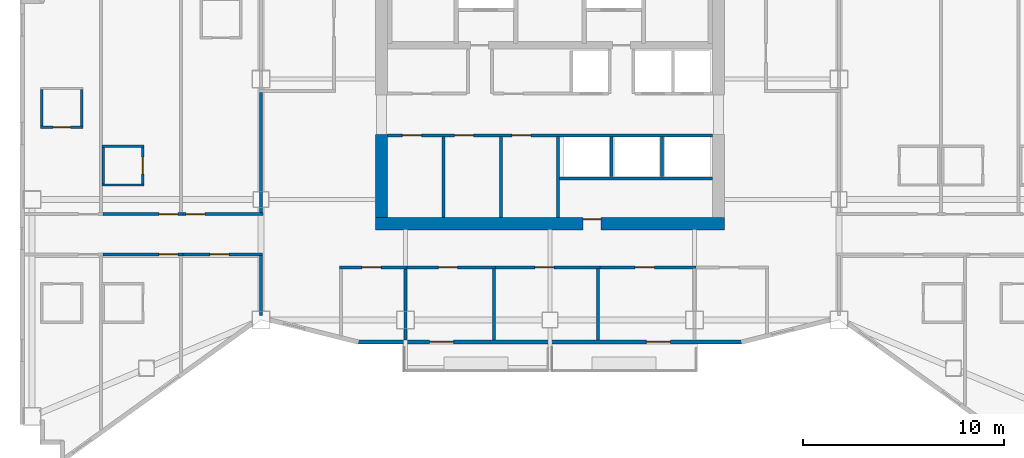
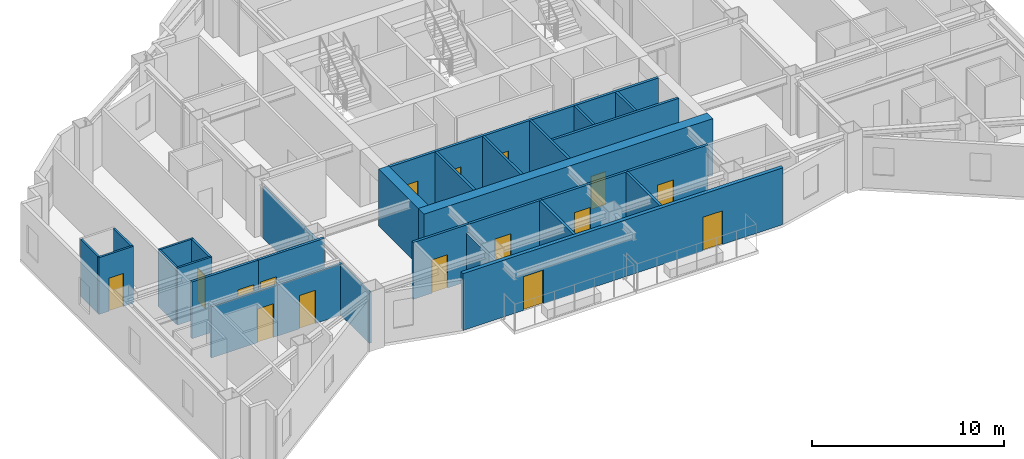
# One storey, part 5 of 11: 30 walls, 16 doors, 16 openings.
"""IFC4 building model written with IfcOpenShell, lengths in metres."""

import ifcopenshell
import ifcopenshell.guid

model = None  # the IFC model being written
_history = None  # IfcOwnerHistory: only IFC2X3 demands one
_inside = {}  # id of a spatial element -> (the spatial element, [elements in it])
_under = {}  # id of a project, library or spatial element -> (it, [spatial elements below it])
_declared = {}  # id of a project -> (the project, [libraries it declares])
_typed = {}  # id of a type object -> (the type object, [elements of that type])
_made_of = {}  # id of a material, layer set ... -> (it, [elements and type objects made of it])


def new_model(schema):
    """Start an empty IFC model of exactly this schema.

    Asked for "IFC4X3", IfcOpenShell would pick the latest addendum, in which some entities
    have other attributes; the version numbers below select the first issue.
    IFC2X3 requires an IfcOwnerHistory on every rooted entity: one is made here for all.
    """
    global model, _history
    if schema == "IFC4X3":
        model = ifcopenshell.file(schema_version=(4, 3, 0, 0))
    else:
        model = ifcopenshell.file(schema=schema)
    _inside.clear()
    _under.clear()
    _declared.clear()
    _typed.clear()
    _made_of.clear()
    _history = None
    if model.schema == "IFC2X3":
        org = make("IfcOrganization", Name="unknown")
        user = make(
            "IfcPersonAndOrganization",
            ThePerson=make("IfcPerson", FamilyName="unknown"),
            TheOrganization=org,
        )
        app = make(
            "IfcApplication",
            ApplicationDeveloper=org,
            Version="unknown",
            ApplicationFullName="unknown",
            ApplicationIdentifier="unknown",
        )
        _history = make(
            "IfcOwnerHistory",
            OwningUser=user,
            OwningApplication=app,
            ChangeAction="ADDED",
            CreationDate=0,
        )
    return model


def make(cls, **values):
    """One entity of the class cls with the attributes given. An attribute that is None is left unset."""
    return model.create_entity(
        cls, **{name: value for name, value in values.items() if value is not None}
    )


def rooted(cls, **values):
    """An entity with a GlobalId (a new one), such as an element, a storey or a relation."""
    return make(cls, GlobalId=ifcopenshell.guid.new(), OwnerHistory=_history, **values)


def si_unit(unit_type, name, prefix=None):
    """IfcSIUnit, for example si_unit("LENGTHUNIT", "METRE", prefix="MILLI")."""
    return make("IfcSIUnit", UnitType=unit_type, Prefix=prefix, Name=name)


def assignment(units):
    """IfcUnitAssignment: the units of a project."""
    return None if units is None else make("IfcUnitAssignment", Units=units)


def point(xyz):
    """IfcCartesianPoint."""
    return None if xyz is None else make("IfcCartesianPoint", Coordinates=xyz)


def direction(xyz):
    """IfcDirection."""
    return None if xyz is None else make("IfcDirection", DirectionRatios=xyz)


def frame(location, z_axis=None, x_axis=None):
    """IfcAxis2Placement3D, a coordinate frame: its origin and axes. An axis left out is left unset."""
    return make(
        "IfcAxis2Placement3D",
        Location=point(location),
        Axis=direction(z_axis),
        RefDirection=direction(x_axis),
    )


def frame_2d(location, x_axis=None):
    """IfcAxis2Placement2D, a coordinate frame in the plane: its origin and x axis."""
    return make(
        "IfcAxis2Placement2D", Location=point(location), RefDirection=direction(x_axis)
    )


def origin():
    """The frame at (0, 0, 0) with its axes left unset."""
    return frame((0.0, 0.0, 0.0))


def place(relative_to, where):
    """IfcLocalPlacement: puts the frame where relative to a parent placement (None: the world)."""
    return make(
        "IfcLocalPlacement", PlacementRelTo=relative_to, RelativePlacement=where
    )


def context(
    kind, dimensions, precision=None, world=None, true_north=None, identifier=None
):
    """IfcGeometricRepresentationContext, for example the 3D "Model" context."""
    return make(
        "IfcGeometricRepresentationContext",
        ContextIdentifier=identifier,
        ContextType=kind,
        CoordinateSpaceDimension=dimensions,
        Precision=precision,
        WorldCoordinateSystem=world,
        TrueNorth=true_north,
    )


def subcontext(parent, identifier, kind, view, scale=None):
    """IfcGeometricRepresentationSubContext, for example "Body" below "Model"."""
    return make(
        "IfcGeometricRepresentationSubContext",
        ContextIdentifier=identifier,
        ContextType=kind,
        ParentContext=parent,
        TargetScale=scale,
        TargetView=view,
    )


def project(units=None, contexts=None):
    """IfcProject with its units and contexts."""
    return rooted(
        "IfcProject",
        Name="project",
        RepresentationContexts=contexts,
        UnitsInContext=assignment(units),
    )


def spatial(cls, under=None, at=None, **own):
    """A site, building, storey or space (cls), placed at a placement, below another one or the project."""
    s = rooted(cls, ObjectPlacement=at, **own)
    if under is not None:
        _under.setdefault(under.id(), (under, []))[1].append(s)
    return s


def profile(cls, at=None, kind="AREA", **sizes):
    """A parametric profile (cls). Its sizes go by their IFC names, for example OverallWidth=200.0."""
    return make(cls, ProfileType=kind, Position=at, **sizes)


def rectangle(**sizes):
    """IfcRectangleProfileDef."""
    return profile("IfcRectangleProfileDef", **sizes)


def extrude(swept, where, along, depth):
    """IfcExtrudedAreaSolid: the profile swept, set in the frame where, extruded along a direction by depth."""
    return make(
        "IfcExtrudedAreaSolid",
        SweptArea=swept,
        Position=where,
        ExtrudedDirection=direction(along),
        Depth=depth,
    )


def shape(context_of_items, identifier, shape_type, items):
    """IfcShapeRepresentation: the items that make up one representation, for example the "Body"."""
    return make(
        "IfcShapeRepresentation",
        ContextOfItems=context_of_items,
        RepresentationIdentifier=identifier,
        RepresentationType=shape_type,
        Items=items,
    )


def material(Name=None, Category=None):
    """IfcMaterial."""
    return make("IfcMaterial", Name=Name, Category=Category)


def layer(
    of_material, thickness, ventilated=None, Name=None, Category=None, Priority=None
):
    """IfcMaterialLayer: one layer of a wall or slab, of a material (None: an air gap)."""
    return make(
        "IfcMaterialLayer",
        Material=of_material,
        LayerThickness=thickness,
        IsVentilated=ventilated,
        Name=Name,
        Category=Category,
        Priority=Priority,
    )


def layer_set(layers, Name=None):
    """IfcMaterialLayerSet."""
    return make("IfcMaterialLayerSet", MaterialLayers=layers, LayerSetName=Name)


def made_of(thing, what):
    """Note that an element or type object is made of a material, layer set ...; save() writes the relation."""
    if what is not None:
        _made_of.setdefault(what.id(), (what, []))[1].append(thing)
    return thing


def type_object(cls, material=None, **own):
    """A type object (cls), such as IfcWallType, which elements share."""
    return made_of(rooted(cls, **own), material)


def element(
    cls,
    number,
    at=None,
    inside=None,
    cuts=None,
    type_object=None,
    material=None,
    context=None,
    identifier="Body",
    shape_type=None,
    held_by="IfcProductDefinitionShape",
    body=None,
    shapes=None,
    **own,
):
    """One element of the class cls, such as IfcWall. Its Tag is "e" and its number.

    at: its placement. inside: the storey or other place that contains it. cuts: it is an
    opening in that element (IfcRelVoidsElement). A single representation is given by context,
    identifier, shape_type and body (its items); several are given by shapes. held_by: the class
    of the entity that holds the representations. save() writes the other relations.
    """
    e = rooted(cls, Tag="e%d" % number, ObjectPlacement=at, **own)
    if body is not None:
        shapes = [shape(context, identifier, shape_type, body)]
    if shapes is not None:
        e.Representation = make(held_by, Representations=shapes)
    if inside is not None:
        _inside.setdefault(inside.id(), (inside, []))[1].append(e)
    if cuts is not None:
        rooted(
            "IfcRelVoidsElement", RelatingBuildingElement=cuts, RelatedOpeningElement=e
        )
    if type_object is not None:
        _typed.setdefault(type_object.id(), (type_object, []))[1].append(e)
    return made_of(e, material)


def fill(opening, filler):
    """IfcRelFillsElement: the door or window that sits in an opening."""
    return rooted(
        "IfcRelFillsElement",
        RelatingOpeningElement=opening,
        RelatedBuildingElement=filler,
    )


def aggregate(whole, parts):
    """IfcRelAggregates: a whole, such as a stair, and the parts it consists of."""
    return rooted("IfcRelAggregates", RelatingObject=whole, RelatedObjects=parts)


def save(model, path):
    """Write the relations noted so far, then the file.

    IfcRelAggregates (storeys below a building ...), IfcRelContainedInSpatialStructure (elements
    in a storey), IfcRelDefinesByType, IfcRelAssociatesMaterial and IfcRelDeclares: one each for
    every whole, place, type object, material and project.
    """
    for whole, parts in _under.values():
        aggregate(whole, parts)
    for where, things in _inside.values():
        rooted(
            "IfcRelContainedInSpatialStructure",
            RelatedElements=things,
            RelatingStructure=where,
        )
    for kind, things in _typed.values():
        rooted("IfcRelDefinesByType", RelatedObjects=things, RelatingType=kind)
    for what, things in _made_of.values():
        rooted("IfcRelAssociatesMaterial", RelatedObjects=things, RelatingMaterial=what)
    for by, libraries in _declared.values():
        rooted("IfcRelDeclares", RelatingContext=by, RelatedDefinitions=libraries)
    model.write(path)


model = new_model("IFC4")

# Units and contexts
model_context = context("Model", 3, precision=1e-05, world=origin(), true_north=direction((0.0, 1.0)))
body_context = subcontext(model_context, "Body", "Model", "MODEL_VIEW")
ifc_project = project(units=[si_unit("LENGTHUNIT", "METRE"), si_unit("AREAUNIT", "SQUARE_METRE"), si_unit("VOLUMEUNIT", "CUBIC_METRE"), si_unit("PLANEANGLEUNIT", "RADIAN"), si_unit("MASSUNIT", "GRAM", prefix="KILO")], contexts=[model_context])

# Site, building, storey
site_placement = place(None, origin())
site = spatial("IfcSite", under=ifc_project, at=site_placement, CompositionType="ELEMENT")
building_placement = place(site_placement, origin())
building = spatial("IfcBuilding", under=site, at=building_placement, Name="Haolan Belvedere Tower", CompositionType="ELEMENT")
storey_placement = place(building_placement, frame((0.0, 0.0, 215.39990234375)))
storey = spatial("IfcBuildingStorey", under=building, at=storey_placement, Name="L54", CompositionType="ELEMENT", Elevation=215.39990234375)

# Wall, opening, door
ifc_material_1 = material(Name="Concrete C60/75", Category="concrete")
ifc_layer_1 = layer(ifc_material_1, 0.60009765625, Name="Concrete C60/75")
ifc_layer_set_1 = layer_set([ifc_layer_1], Name="Concrete C60/75")
wall_type_1 = type_object("IfcWallType", Name="WL-CORE-600", PredefinedType="SHEAR", material=ifc_layer_set_1)
wall_1_placement = place(storey_placement, frame((29.699951171875, 26.39990234375, 0.0), z_axis=(0.0, 0.0, 1.0), x_axis=(1.0, 0.0, 0.0)))
wall_1 = element("IfcWall", 1, at=wall_1_placement, inside=storey, type_object=wall_type_1, Name="L54 central core south shear wall", PredefinedType="SHEAR", context=body_context, shape_type="SweptSolid", body=[
    extrude(rectangle(XDim=17.400146484375, YDim=0.60009765625, at=frame_2d((8.7001953125, 0.0))), origin(), (0.0, 0.0, 1.0), 3.6201171875),
])
opening_1_placement = place(wall_1_placement, frame((11.25, 0.0, 0.0), z_axis=(0.0, 0.0, 1.0), x_axis=(-1.0, 0.0, 0.0)))
opening_1 = element("IfcOpeningElement", 2, at=opening_1_placement, cuts=wall_1, Name="Opening FD-05", PredefinedType="OPENING", context=body_context, shape_type="SweptSolid", body=[
    extrude(rectangle(XDim=0.89990234375, YDim=2.10009765625, at=frame_2d((0.449951171875, 1.050048828125))), frame((0.0, 0.31005859375, 0.0), z_axis=(0.0, -1.0, 0.0), x_axis=(1.0, 0.0, 0.0)), (0.0, 0.0, 1.0), 0.6201171875),
])
ifc_material_2 = material(Name="Galvanised fire-rated steel", Category="steel")
door_type_1 = type_object("IfcDoorType", Name="DR-FD60-900", OperationType="NOTDEFINED", PredefinedType="DOOR", material=ifc_material_2)
door_1_placement = place(opening_1_placement, origin())
door_1 = element("IfcDoor", 3, at=door_1_placement, inside=storey, type_object=door_type_1, Name="L54 door CD-L54-SCVE", OperationType="SINGLE_SWING_RIGHT", OverallHeight=2.10009765625, OverallWidth=0.89990234375, PredefinedType="DOOR", context=body_context, shape_type="SweptSolid", body=[
    extrude(rectangle(XDim=0.89990234375, YDim=2.10009765625, at=frame_2d((0.449951171875, 1.050048828125))), frame((0.0, -0.19482421875, 0.0), z_axis=(0.0, -1.0, 0.0), x_axis=(1.0, 0.0, 0.0)), (0.0, 0.0, 1.0), 0.050048828125),
])
fill(opening_1, door_1)

# Wall
wall_2_placement = place(storey_placement, frame((30.0, 26.699951171875, 0.0), z_axis=(0.0, 0.0, 1.0), x_axis=(0.0, 1.0, 0.0)))
element("IfcWall", 4, at=wall_2_placement, inside=storey, type_object=wall_type_1, Name="L54 central core shear wall WS", PredefinedType="SHEAR", context=body_context, shape_type="SweptSolid", body=[
    extrude(rectangle(XDim=4.150146484375, YDim=0.60009765625, at=frame_2d((2.0751953125, 0.0))), origin(), (0.0, 0.0, 1.0), 3.6201171875),
])

# Wall, openings, doors
ifc_material_3 = material(Name="Precast concrete C40/50", Category="concrete")
ifc_layer_2 = layer(ifc_material_3, 0.219970703125, Name="Precast concrete C40/50")
ifc_layer_set_2 = layer_set([ifc_layer_2], Name="Precast concrete C40/50")
wall_type_2 = type_object("IfcWallType", Name="WL-EXT-220", PredefinedType="SOLIDWALL", material=ifc_layer_set_2)
wall_3_placement = place(storey_placement, frame((28.758544921875, 20.510009765625, 0.0), z_axis=(0.0, 0.0, 1.0), x_axis=(1.0, 0.0, 0.0)))
wall_3 = element("IfcWall", 5, at=wall_3_placement, inside=storey, type_object=wall_type_2, Name="L54 pale-metal exterior spandrel wall 1.1", PredefinedType="SOLIDWALL", context=body_context, shape_type="SweptSolid", body=[
    extrude(rectangle(XDim=19.282958984375, YDim=0.219970703125, at=frame_2d((9.6416015625, 0.0))), origin(), (0.0, 0.0, 1.0), 3.6201171875),
])
opening_2_placement = place(wall_3_placement, frame((4.841552734375, 0.0, 0.0), z_axis=(0.0, 0.0, 1.0), x_axis=(-1.0, 0.0, 0.0)))
opening_2 = element("IfcOpeningElement", 6, at=opening_2_placement, cuts=wall_3, Name="Opening BD-01", PredefinedType="OPENING", context=body_context, shape_type="SweptSolid", body=[
    extrude(rectangle(XDim=1.199951171875, YDim=2.14990234375, at=frame_2d((0.60009765625, 1.074951171875))), frame((0.0, 0.119873046875, 0.0), z_axis=(0.0, -1.0, 0.0), x_axis=(1.0, 0.0, 0.0)), (0.0, 0.0, 1.0), 0.239990234375),
])
opening_3_placement = place(wall_3_placement, frame((15.641357421875, 0.0, 0.0), z_axis=(0.0, 0.0, 1.0), x_axis=(-1.0, 0.0, 0.0)))
opening_3 = element("IfcOpeningElement", 7, at=opening_3_placement, cuts=wall_3, Name="Opening BD-01", PredefinedType="OPENING", context=body_context, shape_type="SweptSolid", body=[
    extrude(rectangle(XDim=1.199951171875, YDim=2.14990234375, at=frame_2d((0.60009765625, 1.074951171875))), frame((0.0, 0.119873046875, 0.0), z_axis=(0.0, -1.0, 0.0), x_axis=(1.0, 0.0, 0.0)), (0.0, 0.0, 1.0), 0.239990234375),
])
ifc_material_4 = material(Name="Thermally broken pale-metal aluminium and Low-E glass", Category="aluminium")
door_type_2 = type_object("IfcDoorType", Name="DR-BAL-1200", OperationType="NOTDEFINED", PredefinedType="DOOR", material=ifc_material_4)
door_2_placement = place(opening_2_placement, origin())
door_2 = element("IfcDoor", 8, at=door_2_placement, inside=storey, type_object=door_type_2, Name="L54 tree-balcony access door 1", OperationType="SINGLE_SWING_RIGHT", OverallHeight=2.14990234375, OverallWidth=1.199951171875, PredefinedType="DOOR", context=body_context, shape_type="SweptSolid", body=[
    extrude(rectangle(XDim=1.199951171875, YDim=2.14990234375, at=frame_2d((0.60009765625, 1.074951171875))), frame((0.0, 0.02490234375, 0.0), z_axis=(0.0, -1.0, 0.0), x_axis=(1.0, 0.0, 0.0)), (0.0, 0.0, 1.0), 0.050048828125),
])
fill(opening_2, door_2)
door_3_placement = place(opening_3_placement, origin())
door_3 = element("IfcDoor", 9, at=door_3_placement, inside=storey, type_object=door_type_2, Name="L54 tree-balcony access door 2", OperationType="SINGLE_SWING_LEFT", OverallHeight=2.14990234375, OverallWidth=1.199951171875, PredefinedType="DOOR", context=body_context, shape_type="SweptSolid", body=[
    extrude(rectangle(XDim=1.199951171875, YDim=2.14990234375, at=frame_2d((0.60009765625, 1.074951171875))), frame((0.0, 0.02490234375, 0.0), z_axis=(0.0, -1.0, 0.0), x_axis=(1.0, 0.0, 0.0)), (0.0, 0.0, 1.0), 0.050048828125),
])
fill(opening_3, door_3)

# Walls
ifc_material_5 = material(Name="Double gypsum acoustic stud partition", Category="masonry")
ifc_layer_3 = layer(ifc_material_5, 0.14990234375, Name="Double gypsum acoustic stud partition")
ifc_layer_set_3 = layer_set([ifc_layer_3], Name="Double gypsum acoustic stud partition")
wall_type_3 = type_object("IfcWallType", Name="WL-PART-150", PredefinedType="PARTITIONING", material=ifc_layer_set_3)
for number, where, z_axis, x_axis, name in (
    (10, (33.10009765625, 26.7099609375, 0.0), (0.0, 0.0, 1.0), (0.0, 1.0, 0.0), "L54 interior partition IW-L54-DIV-REUSE-PM1"),
    (11, (35.949951171875, 26.7099609375, 0.0), (0.0, 0.0, 1.0), (0.0, 1.0, 0.0), "L54 interior partition IW-L54-DIV-REUSE-PM2"),
):
    element("IfcWall", number, at=place(storey_placement, frame(where, z_axis=z_axis, x_axis=x_axis)), inside=storey, type_object=wall_type_3, Name=name, PredefinedType="PARTITIONING", context=body_context, shape_type="SweptSolid", body=[
        extrude(rectangle(XDim=4.025146484375, YDim=0.14990234375, at=frame_2d((2.0126953125, 0.0))), origin(), (0.0, 0.0, 1.0), 3.6201171875),
    ])
wall_4_placement = place(storey_placement, frame((38.860107421875, 28.659912109375, 0.0), z_axis=(0.0, 0.0, 1.0), x_axis=(1.0, 0.0, 0.0)))
element("IfcWall", 12, at=wall_4_placement, inside=storey, type_object=wall_type_3, Name="L54 interior partition IW-L54-SSTRIP-E", PredefinedType="PARTITIONING", context=body_context, shape_type="SweptSolid", body=[
    extrude(rectangle(XDim=7.639892578125, YDim=0.14990234375, at=frame_2d((3.81982421875, 0.0))), origin(), (0.0, 0.0, 1.0), 3.6201171875),
])

# Wall, opening, door
wall_5_placement = place(storey_placement, frame((27.919921875, 24.219970703125, 0.0), z_axis=(0.0, 0.0, 1.0), x_axis=(1.0, 0.0, 0.0)))
wall_5 = element("IfcWall", 13, at=wall_5_placement, inside=storey, type_object=wall_type_3, Name="L54 interior partition IW-L54-KS2-N", PredefinedType="PARTITIONING", context=body_context, shape_type="SweptSolid", body=[
    extrude(rectangle(XDim=3.360107421875, YDim=0.14990234375, at=frame_2d((1.68017578125, 0.0))), origin(), (0.0, 0.0, 1.0), 3.6201171875),
])
opening_4_placement = place(wall_5_placement, frame((2.074951171875, 0.0, 0.0), z_axis=(0.0, 0.0, 1.0), x_axis=(-1.0, 0.0, 0.0)))
opening_4 = element("IfcOpeningElement", 14, at=opening_4_placement, cuts=wall_5, Name="Opening ID-03", PredefinedType="OPENING", context=body_context, shape_type="SweptSolid", body=[
    extrude(rectangle(XDim=0.949951171875, YDim=2.1201171875, at=frame_2d((0.47509765625, 1.06005859375))), frame((0.0, 0.0849609375, 0.0), z_axis=(0.0, -1.0, 0.0), x_axis=(1.0, 0.0, 0.0)), (0.0, 0.0, 1.0), 0.169921875),
])
ifc_material_6 = material(Name="Painted solid-core timber", Category="wood")
door_type_3 = type_object("IfcDoorType", Name="DR-INT-950", OperationType="NOTDEFINED", PredefinedType="DOOR", material=ifc_material_6)
door_4_placement = place(opening_4_placement, origin())
door_4 = element("IfcDoor", 15, at=door_4_placement, inside=storey, type_object=door_type_3, Name="L54 door ID-L54-KS2", OperationType="SINGLE_SWING_LEFT", OverallHeight=2.1201171875, OverallWidth=0.949951171875, PredefinedType="DOOR", context=body_context, shape_type="SweptSolid", body=[
    extrude(rectangle(XDim=0.949951171875, YDim=2.1201171875, at=frame_2d((0.47509765625, 1.06005859375))), frame((0.0, 0.02490234375, 0.0), z_axis=(0.0, -1.0, 0.0), x_axis=(1.0, 0.0, 0.0)), (0.0, 0.0, 1.0), 0.050048828125),
])
fill(opening_4, door_4)

# Wall
wall_6_placement = place(storey_placement, frame((31.199951171875, 20.612060546875, 0.0), z_axis=(0.0, 0.0, 1.0), x_axis=(0.0, 1.0, 0.0)))
element("IfcWall", 16, at=wall_6_placement, inside=storey, type_object=wall_type_3, Name="L54 interior partition IW-L54-KS2-E", PredefinedType="PARTITIONING", context=body_context, shape_type="SweptSolid", body=[
    extrude(rectangle(XDim=3.5478515625, YDim=0.14990234375, at=frame_2d((1.77392578125, 0.0))), origin(), (0.0, 0.0, 1.0), 3.10498046875),
])

# Wall, opening, door
wall_7_placement = place(storey_placement, frame((31.281982421875, 24.219970703125, 0.0), z_axis=(0.0, 0.0, 1.0), x_axis=(1.0, 0.0, 0.0)))
wall_7 = element("IfcWall", 17, at=wall_7_placement, inside=storey, type_object=wall_type_3, Name="L54 interior partition IW-L54-KS3-N", PredefinedType="PARTITIONING", context=body_context, shape_type="SweptSolid", body=[
    extrude(rectangle(XDim=4.39794921875, YDim=0.14990234375, at=frame_2d((2.198974609375, 0.0))), origin(), (0.0, 0.0, 1.0), 3.6201171875),
])
opening_5_placement = place(wall_7_placement, frame((2.512939453125, 0.0, 0.0), z_axis=(0.0, 0.0, 1.0), x_axis=(-1.0, 0.0, 0.0)))
opening_5 = element("IfcOpeningElement", 18, at=opening_5_placement, cuts=wall_7, Name="Opening ID-03", PredefinedType="OPENING", context=body_context, shape_type="SweptSolid", body=[
    extrude(rectangle(XDim=0.949951171875, YDim=2.1201171875, at=frame_2d((0.47509765625, 1.06005859375))), frame((0.0, 0.0849609375, 0.0), z_axis=(0.0, -1.0, 0.0), x_axis=(1.0, 0.0, 0.0)), (0.0, 0.0, 1.0), 0.169921875),
])
door_5_placement = place(opening_5_placement, origin())
door_5 = element("IfcDoor", 19, at=door_5_placement, inside=storey, type_object=door_type_3, Name="L54 door ID-L54-KS3", OperationType="SINGLE_SWING_RIGHT", OverallHeight=2.1201171875, OverallWidth=0.949951171875, PredefinedType="DOOR", context=body_context, shape_type="SweptSolid", body=[
    extrude(rectangle(XDim=0.949951171875, YDim=2.1201171875, at=frame_2d((0.47509765625, 1.06005859375))), frame((0.0, 0.02490234375, 0.0), z_axis=(0.0, -1.0, 0.0), x_axis=(1.0, 0.0, 0.0)), (0.0, 0.0, 1.0), 0.050048828125),
])
fill(opening_5, door_5)

# Wall
wall_8_placement = place(storey_placement, frame((35.60009765625, 20.612060546875, 0.0), z_axis=(0.0, 0.0, 1.0), x_axis=(0.0, 1.0, 0.0)))
element("IfcWall", 20, at=wall_8_placement, inside=storey, type_object=wall_type_3, Name="L54 interior partition IW-L54-KS3-E", PredefinedType="PARTITIONING", context=body_context, shape_type="SweptSolid", body=[
    extrude(rectangle(XDim=3.5478515625, YDim=0.14990234375, at=frame_2d((1.77392578125, 0.0))), origin(), (0.0, 0.0, 1.0), 3.6201171875),
])

# Wall, opening, door
wall_9_placement = place(storey_placement, frame((35.681884765625, 24.219970703125, 0.0), z_axis=(0.0, 0.0, 1.0), x_axis=(1.0, 0.0, 0.0)))
wall_9 = element("IfcWall", 21, at=wall_9_placement, inside=storey, type_object=wall_type_3, Name="L54 interior partition IW-L54-KS4-N", PredefinedType="PARTITIONING", context=body_context, shape_type="SweptSolid", body=[
    extrude(rectangle(XDim=5.197998046875, YDim=0.14990234375, at=frame_2d((2.59912109375, 0.0))), origin(), (0.0, 0.0, 1.0), 3.6201171875),
])
opening_6_placement = place(wall_9_placement, frame((2.912841796875, 0.0, 0.0), z_axis=(0.0, 0.0, 1.0), x_axis=(-1.0, 0.0, 0.0)))
opening_6 = element("IfcOpeningElement", 22, at=opening_6_placement, cuts=wall_9, Name="Opening ID-03", PredefinedType="OPENING", context=body_context, shape_type="SweptSolid", body=[
    extrude(rectangle(XDim=0.949951171875, YDim=2.1201171875, at=frame_2d((0.47509765625, 1.06005859375))), frame((0.0, 0.0849609375, 0.0), z_axis=(0.0, -1.0, 0.0), x_axis=(1.0, 0.0, 0.0)), (0.0, 0.0, 1.0), 0.169921875),
])
door_6_placement = place(opening_6_placement, origin())
door_6 = element("IfcDoor", 23, at=door_6_placement, inside=storey, type_object=door_type_3, Name="L54 door ID-L54-KS4", OperationType="SINGLE_SWING_LEFT", OverallHeight=2.1201171875, OverallWidth=0.949951171875, PredefinedType="DOOR", context=body_context, shape_type="SweptSolid", body=[
    extrude(rectangle(XDim=0.949951171875, YDim=2.1201171875, at=frame_2d((0.47509765625, 1.06005859375))), frame((0.0, 0.02490234375, 0.0), z_axis=(0.0, -1.0, 0.0), x_axis=(1.0, 0.0, 0.0)), (0.0, 0.0, 1.0), 0.050048828125),
])
fill(opening_6, door_6)

# Wall
wall_10_placement = place(storey_placement, frame((40.800048828125, 20.612060546875, 0.0), z_axis=(0.0, 0.0, 1.0), x_axis=(0.0, 1.0, 0.0)))
element("IfcWall", 24, at=wall_10_placement, inside=storey, type_object=wall_type_3, Name="L54 interior partition IW-L54-KS4-E", PredefinedType="PARTITIONING", context=body_context, shape_type="SweptSolid", body=[
    extrude(rectangle(XDim=3.5478515625, YDim=0.14990234375, at=frame_2d((1.77392578125, 0.0))), origin(), (0.0, 0.0, 1.0), 3.6201171875),
])

# Wall, opening, door
wall_11_placement = place(storey_placement, frame((40.882080078125, 24.219970703125, 0.0), z_axis=(0.0, 0.0, 1.0), x_axis=(1.0, 0.0, 0.0)))
wall_11 = element("IfcWall", 25, at=wall_11_placement, inside=storey, type_object=wall_type_3, Name="L54 interior partition IW-L54-KS5-N", PredefinedType="PARTITIONING", context=body_context, shape_type="SweptSolid", body=[
    extrude(rectangle(XDim=4.7978515625, YDim=0.14990234375, at=frame_2d((2.39892578125, 0.0))), origin(), (0.0, 0.0, 1.0), 3.6201171875),
])
opening_7_placement = place(wall_11_placement, frame((2.712890625, 0.0, 0.0), z_axis=(0.0, 0.0, 1.0), x_axis=(-1.0, 0.0, 0.0)))
opening_7 = element("IfcOpeningElement", 26, at=opening_7_placement, cuts=wall_11, Name="Opening ID-03", PredefinedType="OPENING", context=body_context, shape_type="SweptSolid", body=[
    extrude(rectangle(XDim=0.949951171875, YDim=2.1201171875, at=frame_2d((0.47509765625, 1.06005859375))), frame((0.0, 0.0849609375, 0.0), z_axis=(0.0, -1.0, 0.0), x_axis=(1.0, 0.0, 0.0)), (0.0, 0.0, 1.0), 0.169921875),
])
door_7_placement = place(opening_7_placement, origin())
door_7 = element("IfcDoor", 27, at=door_7_placement, inside=storey, type_object=door_type_3, Name="L54 door ID-L54-KS5", OperationType="SINGLE_SWING_RIGHT", OverallHeight=2.1201171875, OverallWidth=0.949951171875, PredefinedType="DOOR", context=body_context, shape_type="SweptSolid", body=[
    extrude(rectangle(XDim=0.949951171875, YDim=2.1201171875, at=frame_2d((0.47509765625, 1.06005859375))), frame((0.0, 0.02490234375, 0.0), z_axis=(0.0, -1.0, 0.0), x_axis=(1.0, 0.0, 0.0)), (0.0, 0.0, 1.0), 0.050048828125),
])
fill(opening_7, door_7)

wall_12_placement = place(storey_placement, frame((16.132080078125, 26.8798828125, 0.0), z_axis=(0.0, 0.0, 1.0), x_axis=(1.0, 0.0, 0.0)))
wall_12 = element("IfcWall", 28, at=wall_12_placement, inside=storey, type_object=wall_type_3, Name="L54 interior partition IW-L54-T2N2-S", PredefinedType="PARTITIONING", context=body_context, shape_type="SweptSolid", body=[
    extrude(rectangle(XDim=3.988037109375, YDim=0.14990234375, at=frame_2d((1.994140625, 0.0))), origin(), (0.0, 0.0, 1.0), 3.6201171875),
])
opening_8_placement = place(wall_12_placement, frame((2.781005859375, 0.0, 0.0)))
opening_8 = element("IfcOpeningElement", 29, at=opening_8_placement, cuts=wall_12, Name="Opening ID-02", PredefinedType="OPENING", context=body_context, shape_type="SweptSolid", body=[
    extrude(rectangle(XDim=0.949951171875, YDim=2.14990234375, at=frame_2d((0.47509765625, 1.074951171875))), frame((0.0, 0.0849609375, 0.0), z_axis=(0.0, -1.0, 0.0), x_axis=(1.0, 0.0, 0.0)), (0.0, 0.0, 1.0), 0.169921875),
])
ifc_material_7 = material(Name="Acoustic oak veneer fire-rated timber", Category="wood")
door_type_4 = type_object("IfcDoorType", Name="DR-GUEST-950", OperationType="NOTDEFINED", PredefinedType="DOOR", material=ifc_material_7)
door_8_placement = place(opening_8_placement, origin())
door_8 = element("IfcDoor", 30, at=door_8_placement, inside=storey, type_object=door_type_4, Name="L54 door ID-L54-T2N2-ENT", OperationType="SINGLE_SWING_RIGHT", OverallHeight=2.14990234375, OverallWidth=0.949951171875, PredefinedType="DOOR", context=body_context, shape_type="SweptSolid", body=[
    extrude(rectangle(XDim=0.949951171875, YDim=2.14990234375, at=frame_2d((0.47509765625, 1.074951171875))), frame((0.0, 0.02490234375, 0.0), z_axis=(0.0, -1.0, 0.0), x_axis=(1.0, 0.0, 0.0)), (0.0, 0.0, 1.0), 0.050048828125),
])
fill(opening_8, door_8)

wall_13_placement = place(storey_placement, frame((20.1220703125, 26.8798828125, 0.0), z_axis=(0.0, 0.0, 1.0), x_axis=(1.0, 0.0, 0.0)))
wall_13 = element("IfcWall", 31, at=wall_13_placement, inside=storey, type_object=wall_type_3, Name="L54 interior partition IW-L54-T2N3-S", PredefinedType="PARTITIONING", context=body_context, shape_type="SweptSolid", body=[
    extrude(rectangle(XDim=3.97802734375, YDim=0.14990234375, at=frame_2d((1.989013671875, 0.0))), origin(), (0.0, 0.0, 1.0), 3.6201171875),
])
opening_9_placement = place(wall_13_placement, frame((0.139892578125, 0.0, 0.0)))
opening_9 = element("IfcOpeningElement", 32, at=opening_9_placement, cuts=wall_13, Name="Opening ID-01", PredefinedType="OPENING", context=body_context, shape_type="SweptSolid", body=[
    extrude(rectangle(XDim=0.949951171875, YDim=2.179931640625, at=frame_2d((0.47509765625, 1.08984375))), frame((0.0, 0.0849609375, 0.0), z_axis=(0.0, -1.0, 0.0), x_axis=(1.0, 0.0, 0.0)), (0.0, 0.0, 1.0), 0.169921875),
])
ifc_material_8 = material(Name="Acoustic walnut veneer fire-rated timber", Category="wood")
door_type_5 = type_object("IfcDoorType", Name="DR-SUITE-950", OperationType="NOTDEFINED", PredefinedType="DOOR", material=ifc_material_8)
door_9_placement = place(opening_9_placement, origin())
door_9 = element("IfcDoor", 33, at=door_9_placement, inside=storey, type_object=door_type_5, Name="L54 door ID-L54-T2N3-ENT", OperationType="SINGLE_SWING_LEFT", OverallHeight=2.179931640625, OverallWidth=0.949951171875, PredefinedType="DOOR", context=body_context, shape_type="SweptSolid", body=[
    extrude(rectangle(XDim=0.949951171875, YDim=2.179931640625, at=frame_2d((0.47509765625, 1.08984375))), frame((0.0, 0.02490234375, 0.0), z_axis=(0.0, -1.0, 0.0), x_axis=(1.0, 0.0, 0.0)), (0.0, 0.0, 1.0), 0.050048828125),
])
fill(opening_9, door_9)

# Wall
wall_14_placement = place(storey_placement, frame((24.0, 26.93994140625, 0.0), z_axis=(0.0, 0.0, 1.0), x_axis=(0.0, 1.0, 0.0)))
element("IfcWall", 34, at=wall_14_placement, inside=storey, type_object=wall_type_3, Name="L54 interior partition IW-L54-T2N3-E", PredefinedType="PARTITIONING", context=body_context, shape_type="SweptSolid", body=[
    extrude(rectangle(XDim=6.0, YDim=0.14990234375, at=frame_2d((3.0, 0.0))), origin(), (0.0, 0.0, 1.0), 3.215087890625),
])

# Wall, opening, door
wall_15_placement = place(storey_placement, frame((16.132080078125, 24.8701171875, 0.0), z_axis=(0.0, 0.0, 1.0), x_axis=(1.0, 0.0, 0.0)))
wall_15 = element("IfcWall", 35, at=wall_15_placement, inside=storey, type_object=wall_type_3, Name="L54 interior partition IW-L54-T2S2-N", PredefinedType="PARTITIONING", context=body_context, shape_type="SweptSolid", body=[
    extrude(rectangle(XDim=3.988037109375, YDim=0.14990234375, at=frame_2d((1.994140625, 0.0))), origin(), (0.0, 0.0, 1.0), 3.255126953125),
])
opening_10_placement = place(wall_15_placement, frame((3.73095703125, 0.0, 0.0), z_axis=(0.0, 0.0, 1.0), x_axis=(-1.0, 0.0, 0.0)))
opening_10 = element("IfcOpeningElement", 36, at=opening_10_placement, cuts=wall_15, Name="Opening ID-02", PredefinedType="OPENING", context=body_context, shape_type="SweptSolid", body=[
    extrude(rectangle(XDim=0.949951171875, YDim=2.14990234375, at=frame_2d((0.47509765625, 1.074951171875))), frame((0.0, 0.0849609375, 0.0), z_axis=(0.0, -1.0, 0.0), x_axis=(1.0, 0.0, 0.0)), (0.0, 0.0, 1.0), 0.169921875),
])
door_10_placement = place(opening_10_placement, origin())
door_10 = element("IfcDoor", 37, at=door_10_placement, inside=storey, type_object=door_type_4, Name="L54 door ID-L54-T2S2-ENT", OperationType="SINGLE_SWING_LEFT", OverallHeight=2.14990234375, OverallWidth=0.949951171875, PredefinedType="DOOR", context=body_context, shape_type="SweptSolid", body=[
    extrude(rectangle(XDim=0.949951171875, YDim=2.14990234375, at=frame_2d((0.47509765625, 1.074951171875))), frame((0.0, 0.02490234375, 0.0), z_axis=(0.0, -1.0, 0.0), x_axis=(1.0, 0.0, 0.0)), (0.0, 0.0, 1.0), 0.050048828125),
])
fill(opening_10, door_10)

wall_16_placement = place(storey_placement, frame((20.1220703125, 24.8701171875, 0.0), z_axis=(0.0, 0.0, 1.0), x_axis=(1.0, 0.0, 0.0)))
wall_16 = element("IfcWall", 38, at=wall_16_placement, inside=storey, type_object=wall_type_3, Name="L54 interior partition IW-L54-T2S3-N", PredefinedType="PARTITIONING", context=body_context, shape_type="SweptSolid", body=[
    extrude(rectangle(XDim=3.9580078125, YDim=0.14990234375, at=frame_2d((1.97900390625, 0.0))), origin(), (0.0, 0.0, 1.0), 3.255126953125),
])
opening_11_placement = place(wall_16_placement, frame((2.282958984375, 0.0, 0.0), z_axis=(0.0, 0.0, 1.0), x_axis=(-1.0, 0.0, 0.0)))
opening_11 = element("IfcOpeningElement", 39, at=opening_11_placement, cuts=wall_16, Name="Opening ID-03", PredefinedType="OPENING", context=body_context, shape_type="SweptSolid", body=[
    extrude(rectangle(XDim=0.949951171875, YDim=2.1201171875, at=frame_2d((0.47509765625, 1.06005859375))), frame((0.0, 0.0849609375, 0.0), z_axis=(0.0, -1.0, 0.0), x_axis=(1.0, 0.0, 0.0)), (0.0, 0.0, 1.0), 0.169921875),
])
door_11_placement = place(opening_11_placement, origin())
door_11 = element("IfcDoor", 40, at=door_11_placement, inside=storey, type_object=door_type_3, Name="L54 door ID-L54-T2S3", OperationType="SINGLE_SWING_RIGHT", OverallHeight=2.1201171875, OverallWidth=0.949951171875, PredefinedType="DOOR", context=body_context, shape_type="SweptSolid", body=[
    extrude(rectangle(XDim=0.949951171875, YDim=2.1201171875, at=frame_2d((0.47509765625, 1.06005859375))), frame((0.0, 0.02490234375, 0.0), z_axis=(0.0, -1.0, 0.0), x_axis=(1.0, 0.0, 0.0)), (0.0, 0.0, 1.0), 0.050048828125),
])
fill(opening_11, door_11)

# Wall
wall_17_placement = place(storey_placement, frame((24.0, 21.818603515625, 0.0), z_axis=(0.0, 0.0, 1.0), x_axis=(0.0, 1.0, 0.0)))
element("IfcWall", 41, at=wall_17_placement, inside=storey, type_object=wall_type_3, Name="L54 interior partition IW-L54-T2S3-E", PredefinedType="PARTITIONING", context=body_context, shape_type="SweptSolid", body=[
    extrude(rectangle(XDim=2.991455078125, YDim=0.14990234375, at=frame_2d((1.49560546875, 0.0))), origin(), (0.0, 0.0, 1.0), 3.215087890625),
])

# Wall, openings, doors
ifc_material_9 = material(Name="Gypsum fire shaftwall assembly", Category="masonry")
ifc_layer_4 = layer(ifc_material_9, 0.1650390625, Name="Gypsum fire shaftwall assembly")
ifc_layer_set_4 = layer_set([ifc_layer_4], Name="Gypsum fire shaftwall assembly")
wall_type_4 = type_object("IfcWallType", Name="WL-SHAFT-160", PredefinedType="SOLIDWALL", material=ifc_layer_set_4)
wall_18_placement = place(storey_placement, frame((30.300048828125, 30.800048828125, 0.0), z_axis=(0.0, 0.0, 1.0), x_axis=(1.0, 0.0, 0.0)))
wall_18 = element("IfcWall", 42, at=wall_18_placement, inside=storey, type_object=wall_type_4, Name="L54 interior partition IW-L54-ROW-PS", PredefinedType="SOLIDWALL", context=body_context, shape_type="SweptSolid", body=[
    extrude(rectangle(XDim=16.199951171875, YDim=0.159912109375, at=frame_2d((8.10009765625, 0.0))), origin(), (0.0, 0.0, 1.0), 3.6201171875),
])
opening_12_placement = place(wall_18_placement, frame((0.75, 0.0, 0.0)))
opening_12 = element("IfcOpeningElement", 43, at=opening_12_placement, cuts=wall_18, Name="Opening ID-03", PredefinedType="OPENING", context=body_context, shape_type="SweptSolid", body=[
    extrude(rectangle(XDim=0.949951171875, YDim=2.1201171875, at=frame_2d((0.47509765625, 1.06005859375))), frame((0.0, 0.08984375, 0.0), z_axis=(0.0, -1.0, 0.0), x_axis=(1.0, 0.0, 0.0)), (0.0, 0.0, 1.0), 0.179931640625),
])
opening_13_placement = place(wall_18_placement, frame((3.35009765625, 0.0, 0.0)))
opening_13 = element("IfcOpeningElement", 44, at=opening_13_placement, cuts=wall_18, Name="Opening ID-03", PredefinedType="OPENING", context=body_context, shape_type="SweptSolid", body=[
    extrude(rectangle(XDim=0.949951171875, YDim=2.1201171875, at=frame_2d((0.47509765625, 1.06005859375))), frame((0.0, 0.08984375, 0.0), z_axis=(0.0, -1.0, 0.0), x_axis=(1.0, 0.0, 0.0)), (0.0, 0.0, 1.0), 0.179931640625),
])
opening_14_placement = place(wall_18_placement, frame((6.199951171875, 0.0, 0.0)))
opening_14 = element("IfcOpeningElement", 45, at=opening_14_placement, cuts=wall_18, Name="Opening ID-03", PredefinedType="OPENING", context=body_context, shape_type="SweptSolid", body=[
    extrude(rectangle(XDim=0.949951171875, YDim=2.1201171875, at=frame_2d((0.47509765625, 1.06005859375))), frame((0.0, 0.08984375, 0.0), z_axis=(0.0, -1.0, 0.0), x_axis=(1.0, 0.0, 0.0)), (0.0, 0.0, 1.0), 0.179931640625),
])
door_12_placement = place(opening_12_placement, origin())
door_12 = element("IfcDoor", 46, at=door_12_placement, inside=storey, type_object=door_type_3, Name="L54 door ID-L54-CD-RPMA", OperationType="SINGLE_SWING_LEFT", OverallHeight=2.1201171875, OverallWidth=0.949951171875, PredefinedType="DOOR", context=body_context, shape_type="SweptSolid", body=[
    extrude(rectangle(XDim=0.949951171875, YDim=2.1201171875, at=frame_2d((0.47509765625, 1.06005859375))), frame((0.0, 0.02490234375, 0.0), z_axis=(0.0, -1.0, 0.0), x_axis=(1.0, 0.0, 0.0)), (0.0, 0.0, 1.0), 0.050048828125),
])
fill(opening_12, door_12)
door_13_placement = place(opening_13_placement, origin())
door_13 = element("IfcDoor", 47, at=door_13_placement, inside=storey, type_object=door_type_3, Name="L54 door ID-L54-CD-RPMB", OperationType="SINGLE_SWING_RIGHT", OverallHeight=2.1201171875, OverallWidth=0.949951171875, PredefinedType="DOOR", context=body_context, shape_type="SweptSolid", body=[
    extrude(rectangle(XDim=0.949951171875, YDim=2.1201171875, at=frame_2d((0.47509765625, 1.06005859375))), frame((0.0, 0.02490234375, 0.0), z_axis=(0.0, -1.0, 0.0), x_axis=(1.0, 0.0, 0.0)), (0.0, 0.0, 1.0), 0.050048828125),
])
fill(opening_13, door_13)
door_14_placement = place(opening_14_placement, origin())
door_14 = element("IfcDoor", 48, at=door_14_placement, inside=storey, type_object=door_type_3, Name="L54 door ID-L54-CD-RPMC", OperationType="SINGLE_SWING_LEFT", OverallHeight=2.1201171875, OverallWidth=0.949951171875, PredefinedType="DOOR", context=body_context, shape_type="SweptSolid", body=[
    extrude(rectangle(XDim=0.949951171875, YDim=2.1201171875, at=frame_2d((0.47509765625, 1.06005859375))), frame((0.0, 0.02490234375, 0.0), z_axis=(0.0, -1.0, 0.0), x_axis=(1.0, 0.0, 0.0)), (0.0, 0.0, 1.0), 0.050048828125),
])
fill(opening_14, door_14)

# Walls
wall_19_placement = place(storey_placement, frame((38.800048828125, 26.7099609375, 0.0), z_axis=(0.0, 0.0, 1.0), x_axis=(0.0, 1.0, 0.0)))
element("IfcWall", 49, at=wall_19_placement, inside=storey, type_object=wall_type_4, Name="L54 interior partition IW-L54-DIV-PM-OB", PredefinedType="SOLIDWALL", context=body_context, shape_type="SweptSolid", body=[
    extrude(rectangle(XDim=4.025146484375, YDim=0.14990234375, at=frame_2d((2.0126953125, 0.0))), origin(), (0.0, 0.0, 1.0), 3.6201171875),
])
for number, where, z_axis, x_axis, name in (
    (50, (41.469970703125, 28.75, 0.0), (0.0, 0.0, 1.0), (0.0, 1.0, 0.0), "L54 interior partition IW-L54-DIV-OB1"),
    (51, (43.97998046875, 28.75, 0.0), (0.0, 0.0, 1.0), (0.0, 1.0, 0.0), "L54 interior partition IW-L54-DIV-OB2"),
):
    element("IfcWall", number, at=place(storey_placement, frame(where, z_axis=z_axis, x_axis=x_axis)), inside=storey, type_object=wall_type_4, Name=name, PredefinedType="SOLIDWALL", context=body_context, shape_type="SweptSolid", body=[
        extrude(rectangle(XDim=1.985107421875, YDim=0.14990234375, at=frame_2d((0.99267578125, 0.0))), origin(), (0.0, 0.0, 1.0), 3.6201171875),
    ])

# Wall, opening, door
ifc_material_10 = material(Name="Moisture-resistant gypsum tile partition", Category="masonry")
ifc_layer_5 = layer(ifc_material_10, 0.1201171875, Name="Moisture-resistant gypsum tile partition")
ifc_layer_set_5 = layer_set([ifc_layer_5], Name="Moisture-resistant gypsum tile partition")
wall_type_5 = type_object("IfcWallType", Name="WL-WET-120", PredefinedType="PARTITIONING", material=ifc_layer_set_5)
wall_20_placement = place(storey_placement, frame((13.030029296875, 31.215087890625, 0.0), z_axis=(0.0, 0.0, 1.0), x_axis=(1.0, 0.0, 0.0)))
wall_20 = element("IfcWall", 52, at=wall_20_placement, inside=storey, type_object=wall_type_5, Name="L54 interior partition IW-L54-T2N1-BS", PredefinedType="PARTITIONING", context=body_context, shape_type="SweptSolid", body=[
    extrude(rectangle(XDim=2.099853515625, YDim=0.1201171875, at=frame_2d((1.0498046875, 0.0))), origin(), (0.0, 0.0, 1.0), 3.6201171875),
])
opening_15_placement = place(wall_20_placement, frame((0.625, 0.0, 0.0)))
opening_15 = element("IfcOpeningElement", 53, at=opening_15_placement, cuts=wall_20, Name="Opening ID-05", PredefinedType="OPENING", context=body_context, shape_type="SweptSolid", body=[
    extrude(rectangle(XDim=0.85009765625, YDim=2.10009765625, at=frame_2d((0.425048828125, 1.050048828125))), frame((0.0, 0.070068359375, 0.0), z_axis=(0.0, -1.0, 0.0), x_axis=(1.0, 0.0, 0.0)), (0.0, 0.0, 1.0), 0.14013671875),
])
ifc_material_11 = material(Name="Moisture-resistant lacquered timber", Category="wood")
door_type_6 = type_object("IfcDoorType", Name="DR-BATH-850", OperationType="NOTDEFINED", PredefinedType="DOOR", material=ifc_material_11)
door_15_placement = place(opening_15_placement, origin())
door_15 = element("IfcDoor", 54, at=door_15_placement, inside=storey, type_object=door_type_6, Name="L54 door ID-L54-T2N1-BATH", OperationType="SINGLE_SWING_RIGHT", OverallHeight=2.10009765625, OverallWidth=0.85009765625, PredefinedType="DOOR", context=body_context, shape_type="SweptSolid", body=[
    extrude(rectangle(XDim=0.85009765625, YDim=2.10009765625, at=frame_2d((0.425048828125, 1.050048828125))), frame((0.0, 0.02490234375, 0.0), z_axis=(0.0, -1.0, 0.0), x_axis=(1.0, 0.0, 0.0)), (0.0, 0.0, 1.0), 0.050048828125),
])
fill(opening_15, door_15)

# Walls
for number, where, z_axis, x_axis, name in (
    (55, (13.090087890625, 31.260009765625, 0.0), (0.0, 0.0, 1.0), (0.0, 1.0, 0.0), "L54 interior partition IW-L54-T2N1-BW"),
    (56, (15.070068359375, 31.260009765625, 0.0), (0.0, 0.0, 1.0), (0.0, 1.0, 0.0), "L54 interior partition IW-L54-T2N1-BE"),
):
    element("IfcWall", number, at=place(storey_placement, frame(where, z_axis=z_axis, x_axis=x_axis)), inside=storey, type_object=wall_type_5, Name=name, PredefinedType="PARTITIONING", context=body_context, shape_type="SweptSolid", body=[
        extrude(rectangle(XDim=1.830078125, YDim=0.1201171875, at=frame_2d((0.9150390625, 0.0))), origin(), (0.0, 0.0, 1.0), 3.6201171875),
    ])
for number, where, z_axis, x_axis, name in (
    (57, (16.090087890625, 30.25, 0.0), (0.0, 0.0, 1.0), (1.0, 0.0, 0.0), "L54 interior partition IW-L54-T2N2-BN"),
    (58, (16.090087890625, 28.330078125, 0.0), (0.0, 0.0, 1.0), (1.0, 0.0, 0.0), "L54 interior partition IW-L54-T2N2-BS"),
):
    element("IfcWall", number, at=place(storey_placement, frame(where, z_axis=z_axis, x_axis=x_axis)), inside=storey, type_object=wall_type_5, Name=name, PredefinedType="PARTITIONING", context=body_context, shape_type="SweptSolid", body=[
        extrude(rectangle(XDim=2.09130859375, YDim=0.1201171875, at=frame_2d((1.045654296875, 0.0))), origin(), (0.0, 0.0, 1.0), 3.6201171875),
    ])
wall_21_placement = place(storey_placement, frame((16.141357421875, 28.375, 0.0), z_axis=(0.0, 0.0, 1.0), x_axis=(0.0, 1.0, 0.0)))
element("IfcWall", 59, at=wall_21_placement, inside=storey, type_object=wall_type_5, Name="L54 interior partition IW-L54-T2N2-BW", PredefinedType="PARTITIONING", context=body_context, shape_type="SweptSolid", body=[
    extrude(rectangle(XDim=1.830078125, YDim=0.1201171875, at=frame_2d((0.9150390625, 0.0))), origin(), (0.0, 0.0, 1.0), 3.6201171875),
])

# Wall, opening, door
wall_22_placement = place(storey_placement, frame((18.121337890625, 28.375, 0.0), z_axis=(0.0, 0.0, 1.0), x_axis=(0.0, 1.0, 0.0)))
wall_22 = element("IfcWall", 60, at=wall_22_placement, inside=storey, type_object=wall_type_5, Name="L54 interior partition IW-L54-T2N2-BE", PredefinedType="PARTITIONING", context=body_context, shape_type="SweptSolid", body=[
    extrude(rectangle(XDim=1.830078125, YDim=0.1201171875, at=frame_2d((0.9150390625, 0.0))), origin(), (0.0, 0.0, 1.0), 3.6201171875),
])
opening_16_placement = place(wall_22_placement, frame((0.489990234375, 0.0, 0.0)))
opening_16 = element("IfcOpeningElement", 61, at=opening_16_placement, cuts=wall_22, Name="Opening ID-05", PredefinedType="OPENING", context=body_context, shape_type="SweptSolid", body=[
    extrude(rectangle(XDim=0.85009765625, YDim=2.10009765625, at=frame_2d((0.425048828125, 1.050048828125))), frame((0.0, 0.070068359375, 0.0), z_axis=(0.0, -1.0, 0.0), x_axis=(1.0, 0.0, 0.0)), (0.0, 0.0, 1.0), 0.14013671875),
])
door_16_placement = place(opening_16_placement, origin())
door_16 = element("IfcDoor", 62, at=door_16_placement, inside=storey, type_object=door_type_6, Name="L54 door ID-L54-T2N2-BATH", OperationType="SINGLE_SWING_LEFT", OverallHeight=2.10009765625, OverallWidth=0.85009765625, PredefinedType="DOOR", context=body_context, shape_type="SweptSolid", body=[
    extrude(rectangle(XDim=0.85009765625, YDim=2.10009765625, at=frame_2d((0.425048828125, 1.050048828125))), frame((0.0, 0.02490234375, 0.0), z_axis=(0.0, -1.0, 0.0), x_axis=(1.0, 0.0, 0.0)), (0.0, 0.0, 1.0), 0.050048828125),
])
fill(opening_16, door_16)

save(model, "model.ifc")
